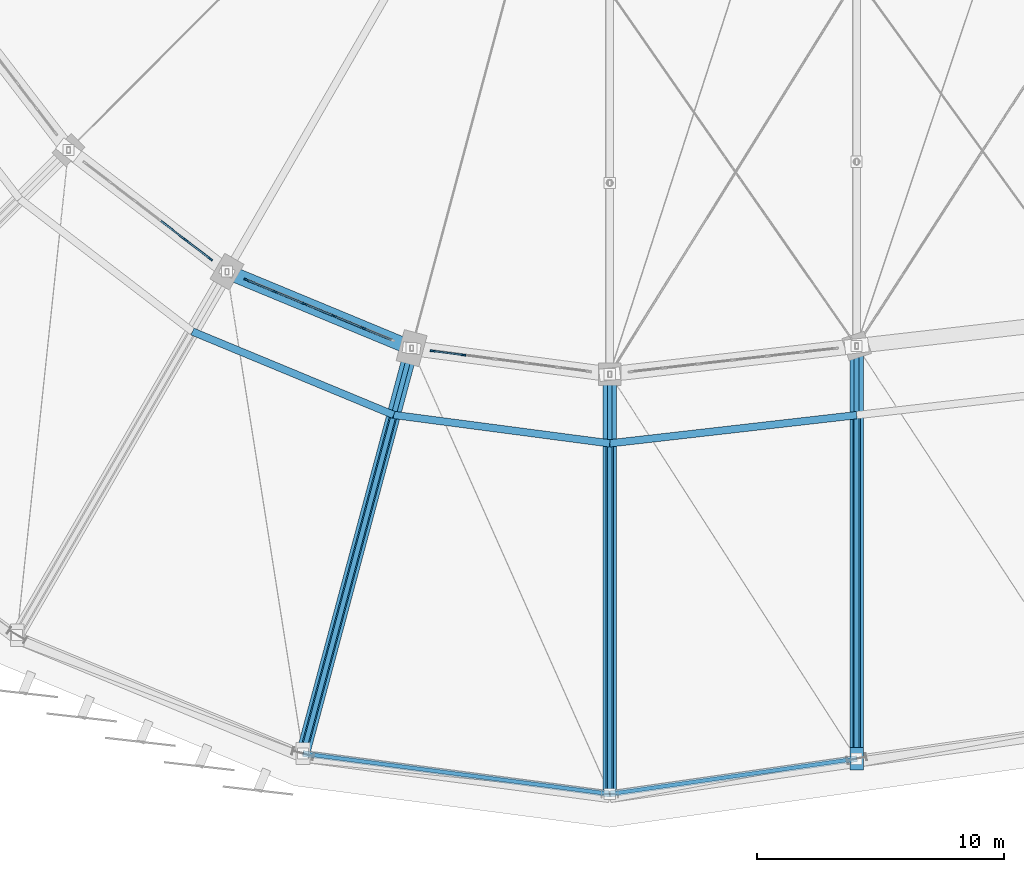
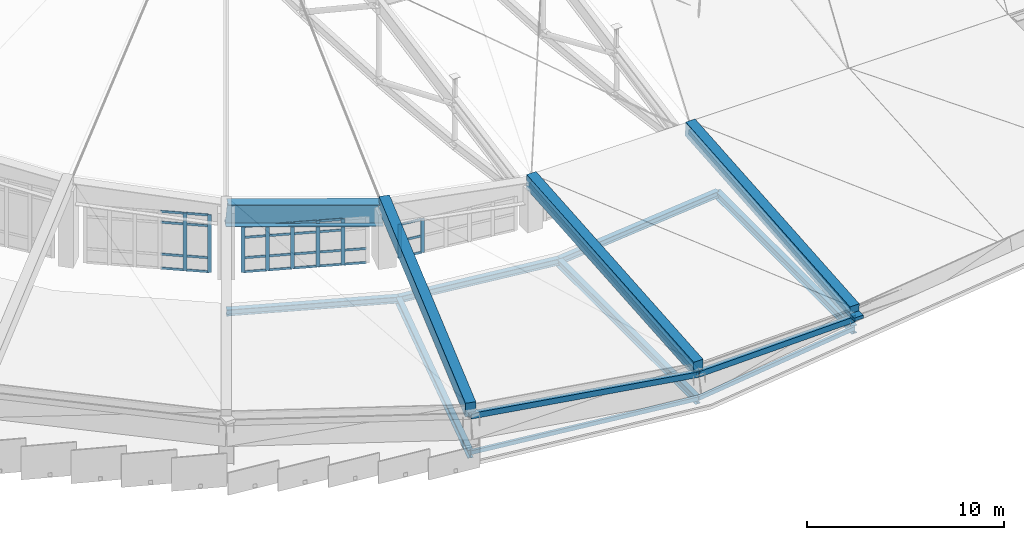
# One storey, part 10 of 68: 43 members, 13 beams, 3 elements without a shape of their own.
"""IFC4 building model written with IfcOpenShell, lengths in metres."""

from ifc_helpers import new_model, si_unit, direction, frame, origin, origin_2d, place, context, subcontext, project, spatial, rectangle, hollow_rectangle, i_section, extrude, material, layer, layer_set, material_profile, profile_set, type_object, element, aggregate, save


model = new_model("IFC4")

# Units and contexts
model_context = context("Model", 3, precision=1e-05, world=origin(), true_north=direction((0.0, 1.0)))
body_context = subcontext(model_context, "Body", "Model", "MODEL_VIEW")
ifc_project = project(units=[si_unit("LENGTHUNIT", "METRE"), si_unit("AREAUNIT", "SQUARE_METRE"), si_unit("VOLUMEUNIT", "CUBIC_METRE"), si_unit("PLANEANGLEUNIT", "RADIAN"), si_unit("MASSUNIT", "GRAM", prefix="KILO")], contexts=[model_context])

# Site, building, storey
site_placement = place(None, origin())
site = spatial("IfcSite", under=ifc_project, at=site_placement, CompositionType="ELEMENT")
building_placement = place(site_placement, origin())
building = spatial("IfcBuilding", under=site, at=building_placement, Name="Sohan Crest Arena", CompositionType="ELEMENT")
storey_placement = place(building_placement, frame((0.0, 0.0, 27.0)))
storey = spatial("IfcBuildingStorey", under=building, at=storey_placement, Name="RF", CompositionType="ELEMENT", Elevation=27.0)

# Curtain wall, members
ifc_material_1 = material(Name="Thermally broken anodised aluminium", Category="aluminium")
ifc_layer = layer(ifc_material_1, 0.18994140625, Name="Thermally broken anodised aluminium")
ifc_layer_set = layer_set([ifc_layer], Name="Thermally broken anodised aluminium")
curtain_wall_type = type_object("IfcCurtainWallType", Name="ARC-CW05", PredefinedType="NOTDEFINED", material=ifc_layer_set)
curtain_wall_1_placement = place(storey_placement, origin())
curtain_wall_1 = element("IfcCurtainWall", 1, at=curtain_wall_1_placement, inside=storey, type_object=curtain_wall_type, Name="Unitised curtain wall CW-183", PredefinedType="NOTDEFINED")
ifc_material_profile_1 = material_profile(ifc_material_1, rectangle(XDim=0.070068359375, YDim=0.199951171875, at=origin_2d()), Name="ALU-MULL 70x200")
ifc_profile_set_1 = profile_set([ifc_material_profile_1], Name="Thermally broken anodised aluminium")
member_type_1 = type_object("IfcMemberType", Name="ARC-CW-ML03", PredefinedType="MULLION", material=ifc_profile_set_1)
member_1_placement = place(storey_placement, frame((80.825439453125, 52.437744140625, 0.0), z_axis=(0.0, 0.0, 1.0), x_axis=(0.608939000248, 0.793217053508, 0.0)))
member_1 = element("IfcMember", 2, at=member_1_placement, type_object=member_type_1, Name="CW-183 mullion 5", PredefinedType="MULLION", context=body_context, shape_type="SweptSolid", body=[
    extrude(rectangle(XDim=0.070068359375, YDim=0.199951171875, at=origin_2d()), origin(), (0.0, 0.0, 1.0), 3.5830078125),
])
member_2_placement = place(storey_placement, frame((81.8212890625, 51.67333984375, 0.0), z_axis=(0.0, 0.0, 1.0), x_axis=(0.608939000248, 0.793217053508, 0.0)))
member_2 = element("IfcMember", 3, at=member_2_placement, type_object=member_type_1, Name="CW-183 mullion 6", PredefinedType="MULLION", context=body_context, shape_type="SweptSolid", body=[
    extrude(rectangle(XDim=0.070068359375, YDim=0.199951171875, at=origin_2d()), origin(), (0.0, 0.0, 1.0), 3.5830078125),
])

curtain_wall_2_placement = place(storey_placement, origin())
curtain_wall_2 = element("IfcCurtainWall", 4, at=curtain_wall_2_placement, inside=storey, type_object=curtain_wall_type, Name="Unitised curtain wall CW-185", PredefinedType="NOTDEFINED")
member_3_placement = place(storey_placement, frame((83.290283203125, 50.82568359375, 0.0), z_axis=(0.0, 0.0, 1.0), x_axis=(0.382666625357, 0.923886494023, 0.0)))
member_3 = element("IfcMember", 5, at=member_3_placement, type_object=member_type_1, Name="CW-185 mullion 1", PredefinedType="MULLION", context=body_context, shape_type="SweptSolid", body=[
    extrude(rectangle(XDim=0.070068359375, YDim=0.199951171875, at=origin_2d()), origin(), (0.0, 0.0, 1.0), 2.861083984375),
])
member_4_placement = place(storey_placement, frame((84.4501953125, 50.34521484375, 0.0), z_axis=(0.0, 0.0, 1.0), x_axis=(0.382666625357, 0.923886494023, 0.0)))
member_4 = element("IfcMember", 6, at=member_4_placement, type_object=member_type_1, Name="CW-185 mullion 2", PredefinedType="MULLION", context=body_context, shape_type="SweptSolid", body=[
    extrude(rectangle(XDim=0.070068359375, YDim=0.199951171875, at=origin_2d()), origin(), (0.0, 0.0, 1.0), 2.861083984375),
])
member_5_placement = place(storey_placement, frame((85.642333984375, 49.851318359375, 0.0), z_axis=(0.0, 0.0, 1.0), x_axis=(0.382666625357, 0.923886494023, 0.0)))
member_5 = element("IfcMember", 7, at=member_5_placement, type_object=member_type_1, Name="CW-185 mullion 3", PredefinedType="MULLION", context=body_context, shape_type="SweptSolid", body=[
    extrude(rectangle(XDim=0.070068359375, YDim=0.199951171875, at=origin_2d()), origin(), (0.0, 0.0, 1.0), 2.861083984375),
])
member_6_placement = place(storey_placement, frame((86.834716796875, 49.357666015625, 0.0), z_axis=(0.0, 0.0, 1.0), x_axis=(0.382666625357, 0.923886494023, 0.0)))
member_6 = element("IfcMember", 8, at=member_6_placement, type_object=member_type_1, Name="CW-185 mullion 4", PredefinedType="MULLION", context=body_context, shape_type="SweptSolid", body=[
    extrude(rectangle(XDim=0.070068359375, YDim=0.199951171875, at=origin_2d()), origin(), (0.0, 0.0, 1.0), 2.861083984375),
])
member_7_placement = place(storey_placement, frame((88.02685546875, 48.86376953125, 0.0), z_axis=(0.0, 0.0, 1.0), x_axis=(0.382666625357, 0.923886494023, 0.0)))
member_7 = element("IfcMember", 9, at=member_7_placement, type_object=member_type_1, Name="CW-185 mullion 5", PredefinedType="MULLION", context=body_context, shape_type="SweptSolid", body=[
    extrude(rectangle(XDim=0.070068359375, YDim=0.199951171875, at=origin_2d()), origin(), (0.0, 0.0, 1.0), 2.861083984375),
])

curtain_wall_3_placement = place(storey_placement, origin())
curtain_wall_3 = element("IfcCurtainWall", 10, at=curtain_wall_3_placement, inside=storey, type_object=curtain_wall_type, Name="Unitised curtain wall CW-187", PredefinedType="NOTDEFINED")
member_8_placement = place(storey_placement, frame((90.82470703125, 47.9443359375, 0.0), z_axis=(0.0, 0.0, 1.0), x_axis=(0.130498613419, 0.991448491802, 0.0)))
member_8 = element("IfcMember", 11, at=member_8_placement, type_object=member_type_1, Name="CW-187 mullion 1", PredefinedType="MULLION", context=body_context, shape_type="SweptSolid", body=[
    extrude(rectangle(XDim=0.070068359375, YDim=0.199951171875, at=origin_2d()), origin(), (0.0, 0.0, 1.0), 2.097900390625),
])
member_9_placement = place(storey_placement, frame((92.0693359375, 47.780517578125, 0.0), z_axis=(0.0, 0.0, 1.0), x_axis=(0.130498613419, 0.991448491802, 0.0)))
member_9 = element("IfcMember", 12, at=member_9_placement, type_object=member_type_1, Name="CW-187 mullion 2", PredefinedType="MULLION", context=body_context, shape_type="SweptSolid", body=[
    extrude(rectangle(XDim=0.070068359375, YDim=0.199951171875, at=origin_2d()), origin(), (0.0, 0.0, 1.0), 2.097900390625),
])

# Member
ifc_material_profile_2 = material_profile(ifc_material_1, rectangle(XDim=0.06494140625, YDim=0.139892578125, at=origin_2d()), Name="ALU-TRAN 65x140")
ifc_profile_set_2 = profile_set([ifc_material_profile_2], Name="Thermally broken anodised aluminium")
member_type_2 = type_object("IfcMemberType", Name="ARC-CW-TR02", PredefinedType="USERDEFINED", material=ifc_profile_set_2)
member_10_placement = place(storey_placement, frame((79.82958984375, 53.202392578125, 0.032470703125), z_axis=(0.793203705004, -0.608956387903, 0.0), x_axis=(0.608956387903, 0.793203705004, 0.0)))
member_10 = element("IfcMember", 13, at=member_10_placement, type_object=member_type_2, Name="CW-183 transom 4.1", ObjectType="TRANSOM", PredefinedType="USERDEFINED", context=body_context, shape_type="SweptSolid", body=[
    extrude(rectangle(XDim=0.06494140625, YDim=0.139892578125, at=origin_2d()), origin(), (0.0, 0.0, 1.0), 1.220458984375),
])

member_11_placement = place(storey_placement, frame((79.82958984375, 53.202392578125, 0.89990234375), z_axis=(0.793203705004, -0.608956387903, 0.0), x_axis=(0.608956387903, 0.793203705004, 0.0)))
member_11 = element("IfcMember", 14, at=member_11_placement, type_object=member_type_2, Name="CW-183 transom 4.2", ObjectType="TRANSOM", PredefinedType="USERDEFINED", context=body_context, shape_type="SweptSolid", body=[
    extrude(rectangle(XDim=0.06494140625, YDim=0.139892578125, at=origin_2d()), origin(), (0.0, 0.0, 1.0), 1.220458984375),
])

member_12_placement = place(storey_placement, frame((79.82958984375, 53.202392578125, 2.883056640625), z_axis=(0.793203705004, -0.608956387903, 0.0), x_axis=(0.608956387903, 0.793203705004, 0.0)))
member_12 = element("IfcMember", 15, at=member_12_placement, type_object=member_type_2, Name="CW-183 transom 4.3", ObjectType="TRANSOM", PredefinedType="USERDEFINED", context=body_context, shape_type="SweptSolid", body=[
    extrude(rectangle(XDim=0.06494140625, YDim=0.139892578125, at=origin_2d()), origin(), (0.0, 0.0, 1.0), 1.220458984375),
])

member_13_placement = place(storey_placement, frame((79.82958984375, 53.202392578125, 3.550537109375), z_axis=(0.793203705004, -0.608956387903, 0.0), x_axis=(0.608956387903, 0.793203705004, 0.0)))
member_13 = element("IfcMember", 16, at=member_13_placement, type_object=member_type_2, Name="CW-183 transom 4.4", ObjectType="TRANSOM", PredefinedType="USERDEFINED", context=body_context, shape_type="SweptSolid", body=[
    extrude(rectangle(XDim=0.06494140625, YDim=0.139892578125, at=origin_2d()), origin(), (0.0, 0.0, 1.0), 1.220458984375),
])

member_14_placement = place(storey_placement, frame((80.853271484375, 52.41650390625, 0.032470703125), z_axis=(0.793151990467, -0.609023743394, 0.0), x_axis=(0.609023743394, 0.793151990467, 0.0)))
member_14 = element("IfcMember", 17, at=member_14_placement, type_object=member_type_2, Name="CW-183 transom 5.1", ObjectType="TRANSOM", PredefinedType="USERDEFINED", context=body_context, shape_type="SweptSolid", body=[
    extrude(rectangle(XDim=0.06494140625, YDim=0.139892578125, at=origin_2d()), origin(), (0.0, 0.0, 1.0), 1.185302734375),
])

member_15_placement = place(storey_placement, frame((80.853271484375, 52.41650390625, 0.89990234375), z_axis=(0.793151990467, -0.609023743394, 0.0), x_axis=(0.609023743394, 0.793151990467, 0.0)))
member_15 = element("IfcMember", 18, at=member_15_placement, type_object=member_type_2, Name="CW-183 transom 5.2", ObjectType="TRANSOM", PredefinedType="USERDEFINED", context=body_context, shape_type="SweptSolid", body=[
    extrude(rectangle(XDim=0.06494140625, YDim=0.139892578125, at=origin_2d()), origin(), (0.0, 0.0, 1.0), 1.185302734375),
])

member_16_placement = place(storey_placement, frame((80.853271484375, 52.41650390625, 2.883056640625), z_axis=(0.793151990467, -0.609023743394, 0.0), x_axis=(0.609023743394, 0.793151990467, 0.0)))
member_16 = element("IfcMember", 19, at=member_16_placement, type_object=member_type_2, Name="CW-183 transom 5.3", ObjectType="TRANSOM", PredefinedType="USERDEFINED", context=body_context, shape_type="SweptSolid", body=[
    extrude(rectangle(XDim=0.06494140625, YDim=0.139892578125, at=origin_2d()), origin(), (0.0, 0.0, 1.0), 1.185302734375),
])

member_17_placement = place(storey_placement, frame((80.853271484375, 52.41650390625, 3.550537109375), z_axis=(0.793151990467, -0.609023743394, 0.0), x_axis=(0.609023743394, 0.793151990467, 0.0)))
member_17 = element("IfcMember", 20, at=member_17_placement, type_object=member_type_2, Name="CW-183 transom 5.4", ObjectType="TRANSOM", PredefinedType="USERDEFINED", context=body_context, shape_type="SweptSolid", body=[
    extrude(rectangle(XDim=0.06494140625, YDim=0.139892578125, at=origin_2d()), origin(), (0.0, 0.0, 1.0), 1.185302734375),
])

aggregate(curtain_wall_1, [member_1, member_2, member_10, member_11, member_12, member_13, member_14, member_15, member_16, member_17])

member_18_placement = place(storey_placement, frame((83.32275390625, 50.812255859375, 0.032470703125), z_axis=(0.923891330959, -0.382654947151, 0.0), x_axis=(0.382654947151, 0.923891330959, 0.0)))
member_18 = element("IfcMember", 21, at=member_18_placement, type_object=member_type_2, Name="CW-185 transom 1.1", ObjectType="TRANSOM", PredefinedType="USERDEFINED", context=body_context, shape_type="SweptSolid", body=[
    extrude(rectangle(XDim=0.06494140625, YDim=0.139892578125, at=origin_2d()), origin(), (0.0, 0.0, 1.0), 1.185546875),
])

member_19_placement = place(storey_placement, frame((83.32275390625, 50.812255859375, 0.89990234375), z_axis=(0.923891330959, -0.382654947151, 0.0), x_axis=(0.382654947151, 0.923891330959, 0.0)))
member_19 = element("IfcMember", 22, at=member_19_placement, type_object=member_type_2, Name="CW-185 transom 1.2", ObjectType="TRANSOM", PredefinedType="USERDEFINED", context=body_context, shape_type="SweptSolid", body=[
    extrude(rectangle(XDim=0.06494140625, YDim=0.139892578125, at=origin_2d()), origin(), (0.0, 0.0, 1.0), 1.185546875),
])

member_20_placement = place(storey_placement, frame((83.32275390625, 50.812255859375, 2.160888671875), z_axis=(0.923891330959, -0.382654947151, 0.0), x_axis=(0.382654947151, 0.923891330959, 0.0)))
member_20 = element("IfcMember", 23, at=member_20_placement, type_object=member_type_2, Name="CW-185 transom 1.3", ObjectType="TRANSOM", PredefinedType="USERDEFINED", context=body_context, shape_type="SweptSolid", body=[
    extrude(rectangle(XDim=0.06494140625, YDim=0.139892578125, at=origin_2d()), origin(), (0.0, 0.0, 1.0), 1.185546875),
])

member_21_placement = place(storey_placement, frame((83.32275390625, 50.812255859375, 2.82861328125), z_axis=(0.923891330959, -0.382654947151, 0.0), x_axis=(0.382654947151, 0.923891330959, 0.0)))
member_21 = element("IfcMember", 24, at=member_21_placement, type_object=member_type_2, Name="CW-185 transom 1.4", ObjectType="TRANSOM", PredefinedType="USERDEFINED", context=body_context, shape_type="SweptSolid", body=[
    extrude(rectangle(XDim=0.06494140625, YDim=0.139892578125, at=origin_2d()), origin(), (0.0, 0.0, 1.0), 1.185546875),
])

member_22_placement = place(storey_placement, frame((84.482421875, 50.331787109375, 0.032470703125), z_axis=(0.923897383917, -0.382640332417, 0.0), x_axis=(0.382640332417, 0.923897383917, 0.0)))
member_22 = element("IfcMember", 25, at=member_22_placement, type_object=member_type_2, Name="CW-185 transom 2.1", ObjectType="TRANSOM", PredefinedType="USERDEFINED", context=body_context, shape_type="SweptSolid", body=[
    extrude(rectangle(XDim=0.06494140625, YDim=0.139892578125, at=origin_2d()), origin(), (0.0, 0.0, 1.0), 1.220458984375),
])

member_23_placement = place(storey_placement, frame((84.482421875, 50.331787109375, 0.89990234375), z_axis=(0.923897383917, -0.382640332417, 0.0), x_axis=(0.382640332417, 0.923897383917, 0.0)))
member_23 = element("IfcMember", 26, at=member_23_placement, type_object=member_type_2, Name="CW-185 transom 2.2", ObjectType="TRANSOM", PredefinedType="USERDEFINED", context=body_context, shape_type="SweptSolid", body=[
    extrude(rectangle(XDim=0.06494140625, YDim=0.139892578125, at=origin_2d()), origin(), (0.0, 0.0, 1.0), 1.220458984375),
])

member_24_placement = place(storey_placement, frame((84.482421875, 50.331787109375, 2.160888671875), z_axis=(0.923897383917, -0.382640332417, 0.0), x_axis=(0.382640332417, 0.923897383917, 0.0)))
member_24 = element("IfcMember", 27, at=member_24_placement, type_object=member_type_2, Name="CW-185 transom 2.3", ObjectType="TRANSOM", PredefinedType="USERDEFINED", context=body_context, shape_type="SweptSolid", body=[
    extrude(rectangle(XDim=0.06494140625, YDim=0.139892578125, at=origin_2d()), origin(), (0.0, 0.0, 1.0), 1.220458984375),
])

member_25_placement = place(storey_placement, frame((84.482421875, 50.331787109375, 2.82861328125), z_axis=(0.923897383917, -0.382640332417, 0.0), x_axis=(0.382640332417, 0.923897383917, 0.0)))
member_25 = element("IfcMember", 28, at=member_25_placement, type_object=member_type_2, Name="CW-185 transom 2.4", ObjectType="TRANSOM", PredefinedType="USERDEFINED", context=body_context, shape_type="SweptSolid", body=[
    extrude(rectangle(XDim=0.06494140625, YDim=0.139892578125, at=origin_2d()), origin(), (0.0, 0.0, 1.0), 1.220458984375),
])

member_26_placement = place(storey_placement, frame((85.6748046875, 49.837890625, 0.032470703125), z_axis=(0.92393881505, -0.382540280289, 0.0), x_axis=(0.382540280289, 0.92393881505, 0.0)))
member_26 = element("IfcMember", 29, at=member_26_placement, type_object=member_type_2, Name="CW-185 transom 3.1", ObjectType="TRANSOM", PredefinedType="USERDEFINED", context=body_context, shape_type="SweptSolid", body=[
    extrude(rectangle(XDim=0.06494140625, YDim=0.139892578125, at=origin_2d()), origin(), (0.0, 0.0, 1.0), 1.22021484375),
])

member_27_placement = place(storey_placement, frame((85.6748046875, 49.837890625, 0.89990234375), z_axis=(0.92393881505, -0.382540280289, 0.0), x_axis=(0.382540280289, 0.92393881505, 0.0)))
member_27 = element("IfcMember", 30, at=member_27_placement, type_object=member_type_2, Name="CW-185 transom 3.2", ObjectType="TRANSOM", PredefinedType="USERDEFINED", context=body_context, shape_type="SweptSolid", body=[
    extrude(rectangle(XDim=0.06494140625, YDim=0.139892578125, at=origin_2d()), origin(), (0.0, 0.0, 1.0), 1.22021484375),
])

member_28_placement = place(storey_placement, frame((85.6748046875, 49.837890625, 2.160888671875), z_axis=(0.92393881505, -0.382540280289, 0.0), x_axis=(0.382540280289, 0.92393881505, 0.0)))
member_28 = element("IfcMember", 31, at=member_28_placement, type_object=member_type_2, Name="CW-185 transom 3.3", ObjectType="TRANSOM", PredefinedType="USERDEFINED", context=body_context, shape_type="SweptSolid", body=[
    extrude(rectangle(XDim=0.06494140625, YDim=0.139892578125, at=origin_2d()), origin(), (0.0, 0.0, 1.0), 1.22021484375),
])

member_29_placement = place(storey_placement, frame((85.6748046875, 49.837890625, 2.82861328125), z_axis=(0.92393881505, -0.382540280289, 0.0), x_axis=(0.382540280289, 0.92393881505, 0.0)))
member_29 = element("IfcMember", 32, at=member_29_placement, type_object=member_type_2, Name="CW-185 transom 3.4", ObjectType="TRANSOM", PredefinedType="USERDEFINED", context=body_context, shape_type="SweptSolid", body=[
    extrude(rectangle(XDim=0.06494140625, YDim=0.139892578125, at=origin_2d()), origin(), (0.0, 0.0, 1.0), 1.22021484375),
])

member_30_placement = place(storey_placement, frame((86.866943359375, 49.34423828125, 0.032470703125), z_axis=(0.923868089985, -0.382711055899, 0.0), x_axis=(0.382711055899, 0.923868089985, 0.0)))
member_30 = element("IfcMember", 33, at=member_30_placement, type_object=member_type_2, Name="CW-185 transom 4.1", ObjectType="TRANSOM", PredefinedType="USERDEFINED", context=body_context, shape_type="SweptSolid", body=[
    extrude(rectangle(XDim=0.06494140625, YDim=0.139892578125, at=origin_2d()), origin(), (0.0, 0.0, 1.0), 1.220458984375),
])

member_31_placement = place(storey_placement, frame((86.866943359375, 49.34423828125, 0.89990234375), z_axis=(0.923868089985, -0.382711055899, 0.0), x_axis=(0.382711055899, 0.923868089985, 0.0)))
member_31 = element("IfcMember", 34, at=member_31_placement, type_object=member_type_2, Name="CW-185 transom 4.2", ObjectType="TRANSOM", PredefinedType="USERDEFINED", context=body_context, shape_type="SweptSolid", body=[
    extrude(rectangle(XDim=0.06494140625, YDim=0.139892578125, at=origin_2d()), origin(), (0.0, 0.0, 1.0), 1.220458984375),
])

member_32_placement = place(storey_placement, frame((86.866943359375, 49.34423828125, 2.160888671875), z_axis=(0.923868089985, -0.382711055899, 0.0), x_axis=(0.382711055899, 0.923868089985, 0.0)))
member_32 = element("IfcMember", 35, at=member_32_placement, type_object=member_type_2, Name="CW-185 transom 4.3", ObjectType="TRANSOM", PredefinedType="USERDEFINED", context=body_context, shape_type="SweptSolid", body=[
    extrude(rectangle(XDim=0.06494140625, YDim=0.139892578125, at=origin_2d()), origin(), (0.0, 0.0, 1.0), 1.220458984375),
])

member_33_placement = place(storey_placement, frame((86.866943359375, 49.34423828125, 2.82861328125), z_axis=(0.923868089985, -0.382711055899, 0.0), x_axis=(0.382711055899, 0.923868089985, 0.0)))
member_33 = element("IfcMember", 36, at=member_33_placement, type_object=member_type_2, Name="CW-185 transom 4.4", ObjectType="TRANSOM", PredefinedType="USERDEFINED", context=body_context, shape_type="SweptSolid", body=[
    extrude(rectangle(XDim=0.06494140625, YDim=0.139892578125, at=origin_2d()), origin(), (0.0, 0.0, 1.0), 1.220458984375),
])

member_34_placement = place(storey_placement, frame((88.05908203125, 48.850341796875, 0.032470703125), z_axis=(0.923891330959, -0.382654947151, 0.0), x_axis=(0.382654947151, 0.923891330959, 0.0)))
member_34 = element("IfcMember", 37, at=member_34_placement, type_object=member_type_2, Name="CW-185 transom 5.1", ObjectType="TRANSOM", PredefinedType="USERDEFINED", context=body_context, shape_type="SweptSolid", body=[
    extrude(rectangle(XDim=0.06494140625, YDim=0.139892578125, at=origin_2d()), origin(), (0.0, 0.0, 1.0), 1.185546875),
])

member_35_placement = place(storey_placement, frame((88.05908203125, 48.850341796875, 0.89990234375), z_axis=(0.923891330959, -0.382654947151, 0.0), x_axis=(0.382654947151, 0.923891330959, 0.0)))
member_35 = element("IfcMember", 38, at=member_35_placement, type_object=member_type_2, Name="CW-185 transom 5.2", ObjectType="TRANSOM", PredefinedType="USERDEFINED", context=body_context, shape_type="SweptSolid", body=[
    extrude(rectangle(XDim=0.06494140625, YDim=0.139892578125, at=origin_2d()), origin(), (0.0, 0.0, 1.0), 1.185546875),
])

aggregate(curtain_wall_2, [member_3, member_4, member_5, member_6, member_7, member_18, member_19, member_20, member_21, member_22, member_23, member_24, member_25, member_26, member_27, member_28, member_29, member_30, member_31, member_32, member_33, member_34, member_35])

member_36_placement = place(storey_placement, frame((90.859375, 47.93994140625, 0.032470703125), z_axis=(0.991438866968, -0.130571716173, 0.0), x_axis=(0.130571716173, 0.991438866968, 0.0)))
member_36 = element("IfcMember", 39, at=member_36_placement, type_object=member_type_2, Name="CW-187 transom 1.1", ObjectType="TRANSOM", PredefinedType="USERDEFINED", context=body_context, shape_type="SweptSolid", body=[
    extrude(rectangle(XDim=0.06494140625, YDim=0.139892578125, at=origin_2d()), origin(), (0.0, 0.0, 1.0), 1.185546875),
])

member_37_placement = place(storey_placement, frame((90.859375, 47.93994140625, 1.049072265625), z_axis=(0.991438866968, -0.130571716173, 0.0), x_axis=(0.130571716173, 0.991438866968, 0.0)))
member_37 = element("IfcMember", 40, at=member_37_placement, type_object=member_type_2, Name="CW-187 transom 1.2", ObjectType="TRANSOM", PredefinedType="USERDEFINED", context=body_context, shape_type="SweptSolid", body=[
    extrude(rectangle(XDim=0.06494140625, YDim=0.139892578125, at=origin_2d()), origin(), (0.0, 0.0, 1.0), 1.185546875),
])

member_38_placement = place(storey_placement, frame((90.859375, 47.93994140625, 2.0654296875), z_axis=(0.991438866968, -0.130571716173, 0.0), x_axis=(0.130571716173, 0.991438866968, 0.0)))
member_38 = element("IfcMember", 41, at=member_38_placement, type_object=member_type_2, Name="CW-187 transom 1.3", ObjectType="TRANSOM", PredefinedType="USERDEFINED", context=body_context, shape_type="SweptSolid", body=[
    extrude(rectangle(XDim=0.06494140625, YDim=0.139892578125, at=origin_2d()), origin(), (0.0, 0.0, 1.0), 1.185546875),
])

aggregate(curtain_wall_3, [member_8, member_9, member_36, member_37, member_38])

# Beams
ifc_material_2 = material(Name="Steel S355", Category="steel")
ifc_material_profile_3 = material_profile(ifc_material_2, i_section(OverallWidth=0.300048828125, OverallDepth=0.389892578125, WebThickness=0.010986328125, FlangeThickness=0.01904296875, at=origin_2d()), Name="HEA 400")
ifc_profile_set_3 = profile_set([ifc_material_profile_3], Name="Steel S355")
beam_type_1 = type_object("IfcBeamType", Name="STR-BM-B09", PredefinedType="BEAM", material=ifc_profile_set_3)
beam_1_placement = place(storey_placement, frame((81.10009765625, 48.72802734375, -0.4150390625), z_axis=(0.923904876385, -0.38262224111, 0.0), x_axis=(0.38262224111, 0.923904876385, 0.0)))
element("IfcBeam", 42, at=beam_1_placement, inside=storey, type_object=beam_type_1, Name="Structural beam RG-RF-1897", PredefinedType="BEAM", context=body_context, shape_type="SweptSolid", body=[
    extrude(i_section(OverallWidth=0.300048828125, OverallDepth=0.389892578125, WebThickness=0.010986328125, FlangeThickness=0.01904296875, at=origin_2d()), origin(), (0.0, 0.0, 1.0), 8.8232421875),
])
beam_2_placement = place(storey_placement, frame((89.251953125, 45.35205078125, -0.4150390625), z_axis=(0.991439032147, -0.130570461953, 0.0), x_axis=(0.130570461953, 0.991439032147, 0.0)))
element("IfcBeam", 43, at=beam_2_placement, inside=storey, type_object=beam_type_1, Name="Structural beam RG-RF-1900", PredefinedType="BEAM", context=body_context, shape_type="SweptSolid", body=[
    extrude(i_section(OverallWidth=0.300048828125, OverallDepth=0.389892578125, WebThickness=0.010986328125, FlangeThickness=0.01904296875, at=origin_2d()), origin(), (0.0, 0.0, 1.0), 8.823486328125),
])
beam_3_placement = place(storey_placement, frame((98.0, 44.199951171875, -0.4150390625), z_axis=(0.99353032697, 0.113567114035, 0.0), x_axis=(-0.113567114035, 0.99353032697, 0.0)))
element("IfcBeam", 44, at=beam_3_placement, inside=storey, type_object=beam_type_1, Name="Structural beam RG-RF-1903", PredefinedType="BEAM", context=body_context, shape_type="SweptSolid", body=[
    extrude(i_section(OverallWidth=0.300048828125, OverallDepth=0.389892578125, WebThickness=0.010986328125, FlangeThickness=0.01904296875, at=origin_2d()), origin(), (0.0, 0.0, 1.0), 10.065185546875),
])
ifc_material_profile_4 = material_profile(ifc_material_2, i_section(OverallWidth=0.300048828125, OverallDepth=0.489990234375, WebThickness=0.011962890625, FlangeThickness=0.02294921875, at=origin_2d()), Name="HEA 500")
ifc_profile_set_4 = profile_set([ifc_material_profile_4], Name="Steel S355")
beam_type_2 = type_object("IfcBeamType", Name="STR-BM-B10", PredefinedType="BEAM", material=ifc_profile_set_4)
for number, where, z_axis, x_axis, name in (
    (45, (89.251953125, 45.35205078125, -0.465087890625), (-0.258808560729, -0.965928635508, 0.0), (0.965928635508, -0.258808560729, 0.0), "Structural beam RG-RF-1898"),
    (46, (98.0, 44.199951171875, -0.465087890625), (0.0, -1.0, 0.0), (1.0, 0.0, 0.0), "Structural beam RG-RF-1901"),
):
    element("IfcBeam", number, at=place(storey_placement, frame(where, z_axis=z_axis, x_axis=x_axis)), inside=storey, type_object=beam_type_2, Name=name, PredefinedType="BEAM", context=body_context, shape_type="SweptSolid", body=[
        extrude(i_section(OverallWidth=0.300048828125, OverallDepth=0.489990234375, WebThickness=0.011962890625, FlangeThickness=0.02294921875, at=origin_2d()), origin(), (0.0, 0.0, 1.0), 14.199951171875),
    ])
beam_4_placement = place(storey_placement, frame((108.0, 45.343017578125, -0.465087890625), z_axis=(0.0, -1.0, 0.0), x_axis=(1.0, 0.0, 0.0)))
element("IfcBeam", 47, at=beam_4_placement, inside=storey, type_object=beam_type_2, Name="Structural beam RG-RF-1904", PredefinedType="BEAM", context=body_context, shape_type="SweptSolid", body=[
    extrude(i_section(OverallWidth=0.300048828125, OverallDepth=0.489990234375, WebThickness=0.011962890625, FlangeThickness=0.02294921875, at=origin_2d()), origin(), (0.0, 0.0, 1.0), 13.9140625),
])
ifc_material_profile_5 = material_profile(ifc_material_2, i_section(OverallWidth=0.60009765625, OverallDepth=1.35009765625, WebThickness=0.02392578125, FlangeThickness=0.035888671875, at=origin_2d()), Name="PG 1350x600x24x36")
ifc_profile_set_5 = profile_set([ifc_material_profile_5], Name="Steel S355")
beam_type_3 = type_object("IfcBeamType", Name="STR-BM-RB02", PredefinedType="USERDEFINED", material=ifc_profile_set_5)
beam_5_placement = place(storey_placement, frame((82.5, 51.153076171875, 3.76806640625), z_axis=(0.92014101418, -0.381143763661, -0.089832875086), x_axis=(0.382691039498, 0.923876381497, 0.0)))
element("IfcBeam", 48, at=beam_5_placement, inside=storey, type_object=beam_type_3, Name="Rising compression ring beam segment RB-11", ObjectType="RING BEAM", PredefinedType="USERDEFINED", context=body_context, shape_type="SweptSolid", body=[
    extrude(i_section(OverallWidth=0.60009765625, OverallDepth=1.35009765625, WebThickness=0.02392578125, FlangeThickness=0.035888671875, at=origin_2d()), origin(), (0.0, 0.0, 1.0), 8.1259765625),
])
ifc_material_3 = material(Name="Precast concrete C50/60", Category="concrete")
ifc_material_profile_6 = material_profile(ifc_material_3, rectangle(XDim=0.550048828125, YDim=0.89990234375, at=origin_2d()), Name="RAKER 550x900")
ifc_profile_set_6 = profile_set([ifc_material_profile_6], Name="Precast concrete C50/60")
beam_type_4 = type_object("IfcBeamType", Name="STR-BM-RK01", PredefinedType="USERDEFINED", material=ifc_profile_set_6)
beam_6_placement = place(storey_placement, frame((89.97705078125, 48.055908203125, 3.657958984375), z_axis=(-0.25803107016, -0.962888401192, -0.079157398153), x_axis=(0.965919330438, -0.258843286733, 0.0)))
element("IfcBeam", 49, at=beam_6_placement, inside=storey, type_object=beam_type_4, Name="Perimeter radial apron raker RKB-12", ObjectType="RAKER", PredefinedType="USERDEFINED", context=body_context, shape_type="SweptSolid", body=[
    extrude(rectangle(XDim=0.550048828125, YDim=0.89990234375, at=origin_2d()), origin(), (0.0, 0.0, 1.0), 17.052734375),
])
beam_7_placement = place(storey_placement, frame((98.0, 47.0, 2.89111328125), z_axis=(0.0, -0.996861269151, -0.079168239005), x_axis=(1.0, 0.0, 0.0)))
element("IfcBeam", 50, at=beam_7_placement, inside=storey, type_object=beam_type_4, Name="Perimeter radial apron raker RKB-13", ObjectType="RAKER", PredefinedType="USERDEFINED", context=body_context, shape_type="SweptSolid", body=[
    extrude(rectangle(XDim=0.550048828125, YDim=0.89990234375, at=origin_2d()), origin(), (0.0, 0.0, 1.0), 17.053466796875),
])
beam_8_placement = place(storey_placement, frame((108.0, 48.14306640625, 1.962890625), z_axis=(0.0, -0.996754672322, -0.080499212446), x_axis=(1.0, 0.0, 0.0)))
element("IfcBeam", 51, at=beam_8_placement, inside=storey, type_object=beam_type_4, Name="Perimeter radial apron raker RKB-14", ObjectType="RAKER", PredefinedType="USERDEFINED", context=body_context, shape_type="SweptSolid", body=[
    extrude(rectangle(XDim=0.550048828125, YDim=0.89990234375, at=origin_2d()), origin(), (0.0, 0.0, 1.0), 16.7685546875),
])
beam_9_placement = place(storey_placement, frame((108.0, 31.428955078125, 0.613037109375), z_axis=(0.0, 0.0, -1.0), x_axis=(1.0, 0.0, 0.0)))
element("IfcBeam", 52, at=beam_9_placement, inside=storey, type_object=beam_type_4, Name="Perimeter cantilever nose bracket RKC-14", ObjectType="RAKER", PredefinedType="USERDEFINED", context=body_context, shape_type="SweptSolid", body=[
    extrude(rectangle(XDim=0.550048828125, YDim=0.89990234375, at=origin_2d()), origin(), (0.0, 0.0, 1.0), 0.199951171875),
])
ifc_material_profile_7 = material_profile(ifc_material_2, hollow_rectangle(XDim=0.14990234375, YDim=0.25, WallThickness=0.010009765625, at=origin_2d()), Name="RHS 250x150x10")
ifc_profile_set_7 = profile_set([ifc_material_profile_7], Name="Steel S355")
beam_type_5 = type_object("IfcBeamType", Name="STR-BM-SP02", PredefinedType="SPANDREL", material=ifc_profile_set_7)
beam_10_placement = place(storey_placement, frame((85.576904296875, 31.635986328125, -0.344970703125), z_axis=(0.991440164207, -0.130561865783, 0.0), x_axis=(0.130561865783, 0.991440164207, 0.0)))
element("IfcBeam", 53, at=beam_10_placement, inside=storey, type_object=beam_type_5, Name="Structural beam SP-RF-1899", PredefinedType="SPANDREL", context=body_context, shape_type="SweptSolid", body=[
    extrude(hollow_rectangle(XDim=0.14990234375, YDim=0.25, WallThickness=0.010009765625, at=origin_2d()), origin(), (0.0, 0.0, 1.0), 12.5302734375),
])
beam_11_placement = place(storey_placement, frame((98.0, 30.0, -0.344970703125), z_axis=(0.989944175879, 0.141458575718, 0.0), x_axis=(-0.141458575718, 0.989944175879, 0.0)))
element("IfcBeam", 54, at=beam_11_placement, inside=storey, type_object=beam_type_5, Name="Structural beam SP-RF-1902", PredefinedType="SPANDREL", context=body_context, shape_type="SweptSolid", body=[
    extrude(hollow_rectangle(XDim=0.14990234375, YDim=0.25, WallThickness=0.010009765625, at=origin_2d()), origin(), (0.0, 0.0, 1.0), 10.1015625),
])

# Members
ifc_material_profile_8 = material_profile(ifc_material_2, hollow_rectangle(XDim=0.199951171875, YDim=0.300048828125, WallThickness=0.010009765625, at=origin_2d()), Name="RHS 300x200x10")
ifc_profile_set_8 = profile_set([ifc_material_profile_8], Name="Steel S355")
member_type_3 = type_object("IfcMemberType", Name="STR-MEM-CH03", PredefinedType="CHORD", material=ifc_profile_set_8)
member_39_placement = place(storey_placement, frame((89.97705078125, 48.055908203125, 3.407958984375), z_axis=(-0.2579068221, -0.962424747663, -0.084986329493), x_axis=(0.965919330438, -0.258843286733, 0.0)))
element("IfcMember", 55, at=member_39_placement, inside=storey, type_object=member_type_3, Name="Outer roof-edge radial tie chord ORT-12", PredefinedType="CHORD", context=body_context, shape_type="SweptSolid", body=[
    extrude(hollow_rectangle(XDim=0.199951171875, YDim=0.300048828125, WallThickness=0.010009765625, at=origin_2d()), origin(), (0.0, 0.0, 1.0), 17.06103515625),
])
member_40_placement = place(storey_placement, frame((98.0, 47.0, 2.64111328125), z_axis=(0.0, -0.996381215354, -0.084996903998), x_axis=(1.0, 0.0, 0.0)))
element("IfcMember", 56, at=member_40_placement, inside=storey, type_object=member_type_3, Name="Outer roof-edge radial tie chord ORT-13", PredefinedType="CHORD", context=body_context, shape_type="SweptSolid", body=[
    extrude(hollow_rectangle(XDim=0.199951171875, YDim=0.300048828125, WallThickness=0.010009765625, at=origin_2d()), origin(), (0.0, 0.0, 1.0), 17.061767578125),
])
member_41_placement = place(storey_placement, frame((108.0, 48.14306640625, 1.712890625), z_axis=(0.0, -0.99625831388, -0.086425528785), x_axis=(1.0, 0.0, 0.0)))
element("IfcMember", 57, at=member_41_placement, inside=storey, type_object=member_type_3, Name="Outer roof-edge radial tie chord ORT-14", PredefinedType="CHORD", context=body_context, shape_type="SweptSolid", body=[
    extrude(hollow_rectangle(XDim=0.199951171875, YDim=0.300048828125, WallThickness=0.010009765625, at=origin_2d()), origin(), (0.0, 0.0, 1.0), 16.77685546875),
])
ifc_material_profile_9 = material_profile(ifc_material_2, hollow_rectangle(XDim=0.25, YDim=0.35009765625, WallThickness=0.012451171875, at=origin_2d()), Name="RHS 350x250x12.5")
ifc_profile_set_9 = profile_set([ifc_material_profile_9], Name="Steel S355")
member_type_4 = type_object("IfcMemberType", Name="STR-MEM-CH04", PredefinedType="CHORD", material=ifc_profile_set_9)
member_42_placement = place(storey_placement, frame((85.576904296875, 31.635986328125, 1.9580078125), z_axis=(0.989587555424, -0.130317897394, -0.061104138727), x_axis=(0.130561865783, 0.991440164207, 0.0)))
element("IfcMember", 58, at=member_42_placement, inside=storey, type_object=member_type_4, Name="Outer roof-edge truss chord ORB-12", PredefinedType="CHORD", context=body_context, shape_type="SweptSolid", body=[
    extrude(hollow_rectangle(XDim=0.25, YDim=0.35009765625, WallThickness=0.012451171875, at=origin_2d()), origin(), (0.0, 0.0, 1.0), 12.5537109375),
])
member_43_placement = place(storey_placement, frame((98.0, 30.0, 1.19091796875), z_axis=(0.98579330007, 0.140865434212, -0.091479500331), x_axis=(-0.141458575718, 0.989944175879, 0.0)))
element("IfcMember", 59, at=member_43_placement, inside=storey, type_object=member_type_4, Name="Outer roof-edge truss chord ORB-13", PredefinedType="CHORD", context=body_context, shape_type="SweptSolid", body=[
    extrude(hollow_rectangle(XDim=0.25, YDim=0.35009765625, WallThickness=0.012451171875, at=origin_2d()), origin(), (0.0, 0.0, 1.0), 10.14404296875),
])

save(model, "model.ifc")
